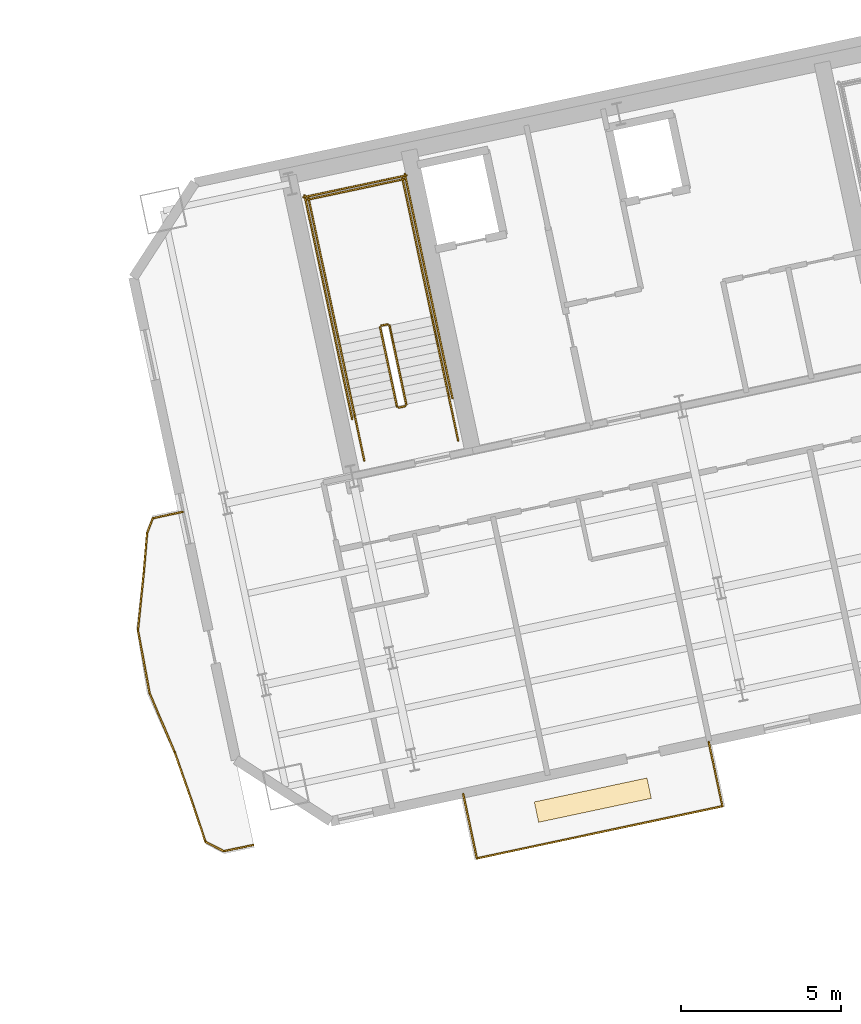
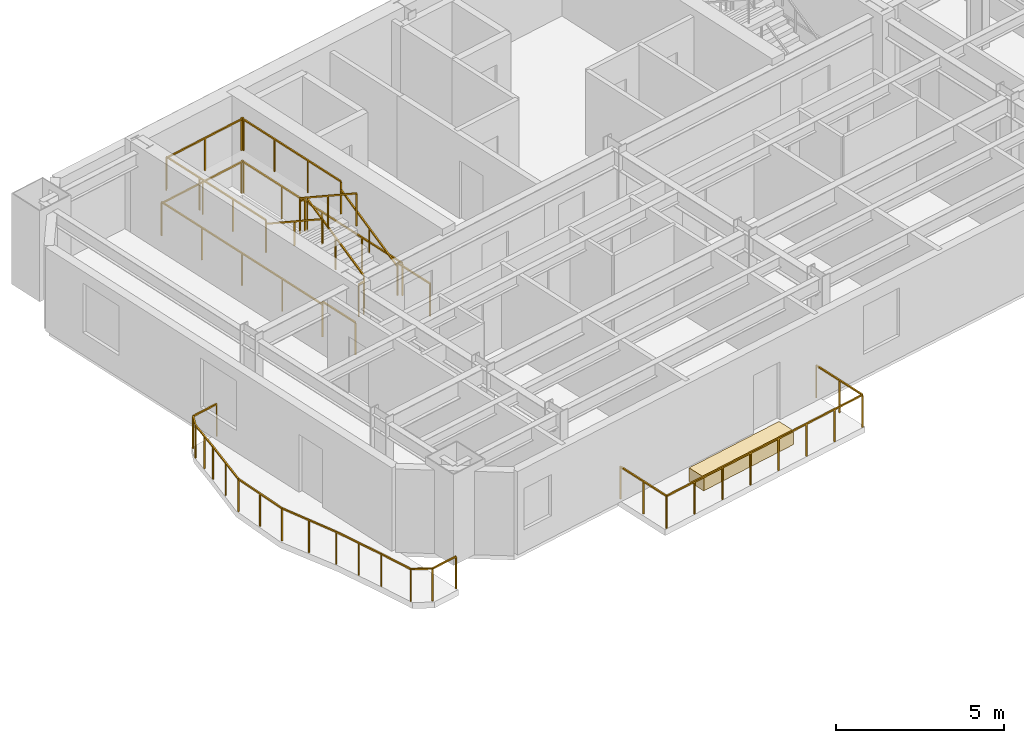
# One storey, part 12 of 13: 27 railings, 1 covering.
"""IFC4 building model written with IfcOpenShell, lengths in metres."""

from ifc_helpers import new_model, si_unit, direction, frame, origin, origin_2d, place, context, subcontext, project, spatial, rectangle, extrude, material, layer, layer_set, type_object, element, save


model = new_model("IFC4")

# Units and contexts
model_context = context("Model", 3, precision=1e-05, world=origin(), true_north=direction((0.0, 1.0)))
body_context = subcontext(model_context, "Body", "Model", "MODEL_VIEW")
ifc_project = project(units=[si_unit("LENGTHUNIT", "METRE"), si_unit("AREAUNIT", "SQUARE_METRE"), si_unit("VOLUMEUNIT", "CUBIC_METRE"), si_unit("PLANEANGLEUNIT", "RADIAN"), si_unit("MASSUNIT", "GRAM", prefix="KILO")], contexts=[model_context])

# Site, building, storey
site_placement = place(None, origin())
site = spatial("IfcSite", under=ifc_project, at=site_placement, CompositionType="ELEMENT")
building_placement = place(site_placement, origin())
building = spatial("IfcBuilding", under=site, at=building_placement, Name="Haevon Station Towers", CompositionType="ELEMENT")
storey_placement = place(building_placement, frame((0.0, 0.0, 159.300048828125)))
storey = spatial("IfcBuildingStorey", under=building, at=storey_placement, Name="L43", CompositionType="ELEMENT", Elevation=159.300048828125)

# Railings
ifc_material_1 = material(Name="Steel S355", Category="steel")
railing_type_1 = type_object("IfcRailingType", Name="GRD-EXT1200", PredefinedType="GUARDRAIL", material=ifc_material_1)
railing_1_placement = place(storey_placement, frame((93.44384765625, 36.33154296875, 0.0)))
element("IfcRailing", 1, at=railing_1_placement, inside=storey, type_object=railing_type_1, Name="L43 Perimeter Guardrail 1", PredefinedType="GUARDRAIL", context=body_context, shape_type="SweptSolid", body=[
    extrude(rectangle(XDim=0.048095703125, YDim=0.048095703125, at=origin_2d()), frame((0.0, 0.0, 1.17578125), z_axis=(-0.977684892297, -0.210076774952, 0.0), x_axis=(0.210076774952, -0.977684892297, 0.0)), (0.0, 0.0, 1.0), 0.943603515625),
    extrude(rectangle(XDim=0.0419921875, YDim=0.0419921875, at=origin_2d()), origin(), (0.0, 0.0, 1.0), 1.15185546875),
    extrude(rectangle(XDim=0.0419921875, YDim=0.0419921875, at=origin_2d()), frame((-0.922607421875, -0.1982421875, 0.0)), (0.0, 0.0, 1.0), 1.15185546875),
])
railing_2_placement = place(storey_placement, frame((92.521240234375, 36.13330078125, 0.0)))
element("IfcRailing", 2, at=railing_2_placement, inside=storey, type_object=railing_type_1, Name="L43 Perimeter Guardrail 2", PredefinedType="GUARDRAIL", context=body_context, shape_type="SweptSolid", body=[
    extrude(rectangle(XDim=0.048095703125, YDim=0.048095703125, at=origin_2d()), frame((0.0, 0.0, 1.17578125), z_axis=(-0.3657443694, -0.930715346522, 0.0), x_axis=(0.930715346522, -0.3657443694, 0.0)), (0.0, 0.0, 1.0), 0.49267578125),
    extrude(rectangle(XDim=0.0419921875, YDim=0.0419921875, at=origin_2d()), origin(), (0.0, 0.0, 1.0), 1.15185546875),
    extrude(rectangle(XDim=0.0419921875, YDim=0.0419921875, at=origin_2d()), frame((-0.18017578125, -0.45849609375, 0.0)), (0.0, 0.0, 1.0), 1.15185546875),
])
railing_3_placement = place(storey_placement, frame((92.341064453125, 35.6748046875, 0.0)))
element("IfcRailing", 3, at=railing_3_placement, inside=storey, type_object=railing_type_1, Name="L43 Perimeter Guardrail 3", PredefinedType="GUARDRAIL", context=body_context, shape_type="SweptSolid", body=[
    extrude(rectangle(XDim=0.048095703125, YDim=0.048095703125, at=origin_2d()), frame((0.0, 0.0, 1.17578125), z_axis=(-0.084251569955, -0.996444515746, 0.0), x_axis=(0.996444515746, -0.084251569955, 0.0)), (0.0, 0.0, 1.0), 1.222900390625),
    extrude(rectangle(XDim=0.0419921875, YDim=0.0419921875, at=origin_2d()), origin(), (0.0, 0.0, 1.0), 1.15185546875),
    extrude(rectangle(XDim=0.0419921875, YDim=0.0419921875, at=origin_2d()), frame((-0.051513671875, -0.609375, 0.0)), (0.0, 0.0, 1.0), 1.15185546875),
    extrude(rectangle(XDim=0.0419921875, YDim=0.0419921875, at=origin_2d()), frame((-0.10302734375, -1.218505859375, 0.0)), (0.0, 0.0, 1.0), 1.15185546875),
])
railing_4_placement = place(storey_placement, frame((92.238037109375, 34.456298828125, 0.0)))
element("IfcRailing", 4, at=railing_4_placement, inside=storey, type_object=railing_type_1, Name="L43 Perimeter Guardrail 4", PredefinedType="GUARDRAIL", context=body_context, shape_type="SweptSolid", body=[
    extrude(rectangle(XDim=0.048095703125, YDim=0.048095703125, at=origin_2d()), frame((0.0, 0.0, 1.17578125), z_axis=(-0.100440099448, -0.994943107129, 0.0), x_axis=(0.994943107129, -0.100440099448, 0.0)), (0.0, 0.0, 1.0), 1.832763671875),
    extrude(rectangle(XDim=0.0419921875, YDim=0.0419921875, at=origin_2d()), origin(), (0.0, 0.0, 1.0), 1.15185546875),
    extrude(rectangle(XDim=0.0419921875, YDim=0.0419921875, at=origin_2d()), frame((-0.092041015625, -0.91162109375, 0.0)), (0.0, 0.0, 1.0), 1.15185546875),
    extrude(rectangle(XDim=0.0419921875, YDim=0.0419921875, at=origin_2d()), frame((-0.18408203125, -1.823486328125, 0.0)), (0.0, 0.0, 1.0), 1.15185546875),
])
railing_5_placement = place(storey_placement, frame((92.053955078125, 32.6328125, 0.0)))
element("IfcRailing", 5, at=railing_5_placement, inside=storey, type_object=railing_type_1, Name="L43 Perimeter Guardrail 5", PredefinedType="GUARDRAIL", context=body_context, shape_type="SweptSolid", body=[
    extrude(rectangle(XDim=0.048095703125, YDim=0.048095703125, at=origin_2d()), frame((0.0, 0.0, 1.17578125), z_axis=(0.182084875325, -0.983282816985, 0.0), x_axis=(0.983282816985, 0.182084875325, 0.0)), (0.0, 0.0, 1.0), 1.993896484375),
    extrude(rectangle(XDim=0.0419921875, YDim=0.0419921875, at=origin_2d()), origin(), (0.0, 0.0, 1.0), 1.15185546875),
    extrude(rectangle(XDim=0.0419921875, YDim=0.0419921875, at=origin_2d()), frame((0.181640625, -0.980224609375, 0.0)), (0.0, 0.0, 1.0), 1.15185546875),
    extrude(rectangle(XDim=0.0419921875, YDim=0.0419921875, at=origin_2d()), frame((0.363037109375, -1.96044921875, 0.0)), (0.0, 0.0, 1.0), 1.15185546875),
])
railing_6_placement = place(storey_placement, frame((92.4169921875, 30.67236328125, 0.0)))
element("IfcRailing", 6, at=railing_6_placement, inside=storey, type_object=railing_type_1, Name="L43 Perimeter Guardrail 6", PredefinedType="GUARDRAIL", context=body_context, shape_type="SweptSolid", body=[
    extrude(rectangle(XDim=0.048095703125, YDim=0.048095703125, at=origin_2d()), frame((0.0, 0.0, 1.17578125), z_axis=(0.389683229783, -0.920948956472, 0.0), x_axis=(0.920948956472, 0.389683229783, 0.0)), (0.0, 0.0, 1.0), 2.026123046875),
    extrude(rectangle(XDim=0.0419921875, YDim=0.0419921875, at=origin_2d()), origin(), (0.0, 0.0, 1.0), 1.15185546875),
    extrude(rectangle(XDim=0.0419921875, YDim=0.0419921875, at=origin_2d()), frame((0.394775390625, -0.93310546875, 0.0)), (0.0, 0.0, 1.0), 1.15185546875),
    extrude(rectangle(XDim=0.0419921875, YDim=0.0419921875, at=origin_2d()), frame((0.78955078125, -1.865966796875, 0.0)), (0.0, 0.0, 1.0), 1.15185546875),
])
railing_7_placement = place(storey_placement, frame((93.20654296875, 28.806396484375, 0.0)))
element("IfcRailing", 7, at=railing_7_placement, inside=storey, type_object=railing_type_1, Name="L43 Perimeter Guardrail 7", PredefinedType="GUARDRAIL", context=body_context, shape_type="SweptSolid", body=[
    extrude(rectangle(XDim=0.048095703125, YDim=0.048095703125, at=origin_2d()), frame((0.0, 0.0, 1.17578125), z_axis=(0.332291601208, -0.943176702303, 0.0), x_axis=(0.943176702303, 0.332291601208, 0.0)), (0.0, 0.0, 1.0), 1.76416015625),
    extrude(rectangle(XDim=0.0419921875, YDim=0.0419921875, at=origin_2d()), origin(), (0.0, 0.0, 1.0), 1.15185546875),
    extrude(rectangle(XDim=0.0419921875, YDim=0.0419921875, at=origin_2d()), frame((0.29296875, -0.83203125, 0.0)), (0.0, 0.0, 1.0), 1.15185546875),
    extrude(rectangle(XDim=0.0419921875, YDim=0.0419921875, at=origin_2d()), frame((0.586181640625, -1.663818359375, 0.0)), (0.0, 0.0, 1.0), 1.15185546875),
])
railing_8_placement = place(storey_placement, frame((93.792724609375, 27.142578125, 0.0)))
element("IfcRailing", 8, at=railing_8_placement, inside=storey, type_object=railing_type_1, Name="L43 Perimeter Guardrail 8", PredefinedType="GUARDRAIL", context=body_context, shape_type="SweptSolid", body=[
    extrude(rectangle(XDim=0.048095703125, YDim=0.048095703125, at=origin_2d()), frame((0.0, 0.0, 1.17578125), z_axis=(0.312492822926, -0.949920120652, 0.0), x_axis=(0.949920120652, 0.312492822926, 0.0)), (0.0, 0.0, 1.0), 1.177490234375),
    extrude(rectangle(XDim=0.0419921875, YDim=0.0419921875, at=origin_2d()), origin(), (0.0, 0.0, 1.0), 1.15185546875),
    extrude(rectangle(XDim=0.0419921875, YDim=0.0419921875, at=origin_2d()), frame((0.367919921875, -1.118408203125, 0.0)), (0.0, 0.0, 1.0), 1.15185546875),
])
railing_9_placement = place(storey_placement, frame((94.16064453125, 26.024169921875, 0.0)))
element("IfcRailing", 9, at=railing_9_placement, inside=storey, type_object=railing_type_1, Name="L43 Perimeter Guardrail 9", PredefinedType="GUARDRAIL", context=body_context, shape_type="SweptSolid", body=[
    extrude(rectangle(XDim=0.048095703125, YDim=0.048095703125, at=origin_2d()), frame((0.0, 0.0, 1.17578125), z_axis=(0.886739807276, -0.462268876513, 0.0), x_axis=(0.462268876513, 0.886739807276, 0.0)), (0.0, 0.0, 1.0), 0.64599609375),
    extrude(rectangle(XDim=0.0419921875, YDim=0.0419921875, at=origin_2d()), origin(), (0.0, 0.0, 1.0), 1.15185546875),
    extrude(rectangle(XDim=0.0419921875, YDim=0.0419921875, at=origin_2d()), frame((0.57275390625, -0.298583984375, 0.0)), (0.0, 0.0, 1.0), 1.15185546875),
])
railing_10_placement = place(storey_placement, frame((94.7333984375, 25.7255859375, 0.0)))
element("IfcRailing", 10, at=railing_10_placement, inside=storey, type_object=railing_type_1, Name="L43 Perimeter Guardrail 10", PredefinedType="GUARDRAIL", context=body_context, shape_type="SweptSolid", body=[
    extrude(rectangle(XDim=0.048095703125, YDim=0.048095703125, at=origin_2d()), frame((0.0, 0.0, 1.17578125), z_axis=(0.978571736022, 0.205906186062, 0.0), x_axis=(-0.205906186062, 0.978571736022, 0.0)), (0.0, 0.0, 1.0), 0.94384765625),
    extrude(rectangle(XDim=0.0419921875, YDim=0.0419921875, at=origin_2d()), origin(), (0.0, 0.0, 1.0), 1.15185546875),
    extrude(rectangle(XDim=0.0419921875, YDim=0.0419921875, at=origin_2d()), frame((0.923583984375, 0.1943359375, 0.0)), (0.0, 0.0, 1.0), 1.15185546875),
])
railing_11_placement = place(storey_placement, frame((102.6474609375, 25.501708984375, 0.0)))
element("IfcRailing", 11, at=railing_11_placement, inside=storey, type_object=railing_type_1, Name="L43 Perimeter Guardrail 1", PredefinedType="GUARDRAIL", context=body_context, shape_type="SweptSolid", body=[
    extrude(rectangle(XDim=0.048095703125, YDim=0.048095703125, at=origin_2d()), frame((0.0, 0.0, 1.17578125), z_axis=(0.978148093399, 0.207909372996, 0.0), x_axis=(-0.207909372996, 0.978148093399, 0.0)), (0.0, 0.0, 1.0), 7.84521484375),
    extrude(rectangle(XDim=0.0419921875, YDim=0.0419921875, at=origin_2d()), origin(), (0.0, 0.0, 1.0), 1.15185546875),
    extrude(rectangle(XDim=0.0419921875, YDim=0.0419921875, at=origin_2d()), frame((1.09619140625, 0.23291015625, 0.0)), (0.0, 0.0, 1.0), 1.15185546875),
    extrude(rectangle(XDim=0.0419921875, YDim=0.0419921875, at=origin_2d()), frame((2.192626953125, 0.466064453125, 0.0)), (0.0, 0.0, 1.0), 1.15185546875),
    extrude(rectangle(XDim=0.0419921875, YDim=0.0419921875, at=origin_2d()), frame((3.288818359375, 0.698974609375, 0.0)), (0.0, 0.0, 1.0), 1.15185546875),
    extrude(rectangle(XDim=0.0419921875, YDim=0.0419921875, at=origin_2d()), frame((4.385009765625, 0.93212890625, 0.0)), (0.0, 0.0, 1.0), 1.15185546875),
    extrude(rectangle(XDim=0.0419921875, YDim=0.0419921875, at=origin_2d()), frame((5.481201171875, 1.1650390625, 0.0)), (0.0, 0.0, 1.0), 1.15185546875),
    extrude(rectangle(XDim=0.0419921875, YDim=0.0419921875, at=origin_2d()), frame((6.57763671875, 1.398193359375, 0.0)), (0.0, 0.0, 1.0), 1.15185546875),
    extrude(rectangle(XDim=0.0419921875, YDim=0.0419921875, at=origin_2d()), frame((7.673828125, 1.631103515625, 0.0)), (0.0, 0.0, 1.0), 1.15185546875),
])
railing_12_placement = place(storey_placement, frame((110.3212890625, 27.1328125, 0.0)))
element("IfcRailing", 12, at=railing_12_placement, inside=storey, type_object=railing_type_1, Name="L43 Perimeter Guardrail 2", PredefinedType="GUARDRAIL", context=body_context, shape_type="SweptSolid", body=[
    extrude(rectangle(XDim=0.048095703125, YDim=0.048095703125, at=origin_2d()), frame((0.0, 0.0, 1.17578125), z_axis=(-0.207962507169, 0.978136798005, 0.0), x_axis=(-0.978136798005, -0.207962507169, 0.0)), (0.0, 0.0, 1.0), 2.054443359375),
    extrude(rectangle(XDim=0.0419921875, YDim=0.0419921875, at=origin_2d()), origin(), (0.0, 0.0, 1.0), 1.15185546875),
    extrude(rectangle(XDim=0.0419921875, YDim=0.0419921875, at=origin_2d()), frame((-0.213623046875, 1.0048828125, 0.0)), (0.0, 0.0, 1.0), 1.15185546875),
    extrude(rectangle(XDim=0.0419921875, YDim=0.0419921875, at=origin_2d()), frame((-0.42724609375, 2.009521484375, 0.0)), (0.0, 0.0, 1.0), 1.15185546875),
])
railing_13_placement = place(storey_placement, frame((102.220458984375, 27.51123046875, 0.0)))
element("IfcRailing", 13, at=railing_13_placement, inside=storey, type_object=railing_type_1, Name="L43 Perimeter Guardrail 3", PredefinedType="GUARDRAIL", context=body_context, shape_type="SweptSolid", body=[
    extrude(rectangle(XDim=0.048095703125, YDim=0.048095703125, at=origin_2d()), frame((0.0, 0.0, 1.17578125), z_axis=(0.207848806692, -0.978160965055, 0.0), x_axis=(0.978160965055, 0.207848806692, 0.0)), (0.0, 0.0, 1.0), 2.054443359375),
    extrude(rectangle(XDim=0.0419921875, YDim=0.0419921875, at=origin_2d()), origin(), (0.0, 0.0, 1.0), 1.15185546875),
    extrude(rectangle(XDim=0.0419921875, YDim=0.0419921875, at=origin_2d()), frame((0.21337890625, -1.0048828125, 0.0)), (0.0, 0.0, 1.0), 1.15185546875),
    extrude(rectangle(XDim=0.0419921875, YDim=0.0419921875, at=origin_2d()), frame((0.427001953125, -2.009521484375, 0.0)), (0.0, 0.0, 1.0), 1.15185546875),
])
railing_type_2 = type_object("IfcRailingType", Name="GRD-STR1200", PredefinedType="GUARDRAIL", material=ifc_material_1)
railing_14_placement = place(storey_placement, frame((100.44140625, 39.69287109375, 0.1650390625)))
element("IfcRailing", 14, at=railing_14_placement, inside=storey, type_object=railing_type_2, Name="L43 ST3 Stair Guard 1", PredefinedType="GUARDRAIL", context=body_context, shape_type="SweptSolid", body=[
    extrude(rectangle(XDim=0.048095703125, YDim=0.048095703125, at=origin_2d()), frame((0.0, 0.0, 1.17578125), z_axis=(-0.179128856099, 0.842723639875, 0.507670877349), x_axis=(-0.978147030254, -0.207914374695, 0.0)), (0.0, 0.0, 1.0), 2.9248046875),
    extrude(rectangle(XDim=0.0419921875, YDim=0.0419921875, at=origin_2d()), origin(), (0.0, 0.0, 1.0), 1.15185546875),
    extrude(rectangle(XDim=0.0419921875, YDim=0.0419921875, at=origin_2d()), frame((-0.261962890625, 1.232421875, 0.742431640625)), (0.0, 0.0, 1.0), 1.15185546875),
    extrude(rectangle(XDim=0.0419921875, YDim=0.0419921875, at=origin_2d()), frame((-0.52392578125, 2.46484375, 1.48486328125)), (0.0, 0.0, 1.0), 1.15185546875),
])
railing_15_placement = place(storey_placement, frame((99.858154296875, 42.1962890625, 1.64990234375)))
element("IfcRailing", 15, at=railing_15_placement, inside=storey, type_object=railing_type_2, Name="L43 ST3 Stair Guard 2", PredefinedType="GUARDRAIL", context=body_context, shape_type="SweptSolid", body=[
    extrude(rectangle(XDim=0.048095703125, YDim=0.048095703125, at=origin_2d()), frame((0.0, 0.0, 1.17578125), z_axis=(-0.977962931203, -0.208778603291, 0.0), x_axis=(0.208778603291, -0.977962931203, 0.0)), (0.0, 0.0, 1.0), 0.199951171875),
    extrude(rectangle(XDim=0.0419921875, YDim=0.0419921875, at=origin_2d()), origin(), (0.0, 0.0, 1.0), 1.15185546875),
    extrude(rectangle(XDim=0.0419921875, YDim=0.0419921875, at=origin_2d()), frame((-0.195556640625, -0.041748046875, 0.0)), (0.0, 0.0, 1.0), 1.15185546875),
])
railing_16_placement = place(storey_placement, frame((101.238037109375, 42.4384765625, 1.64990234375)))
element("IfcRailing", 16, at=railing_16_placement, inside=storey, type_object=railing_type_2, Name="L43 ST3 Stair Guard 3", PredefinedType="GUARDRAIL", context=body_context, shape_type="SweptSolid", body=[
    extrude(rectangle(XDim=0.048095703125, YDim=0.048095703125, at=origin_2d()), frame((0.0, 0.0, 1.17578125), z_axis=(-0.20794048909, 0.978141479029, 0.0), x_axis=(-0.978141479029, -0.20794048909, 0.0)), (0.0, 0.0, 1.0), 4.429931640625),
    extrude(rectangle(XDim=0.0419921875, YDim=0.0419921875, at=origin_2d()), origin(), (0.0, 0.0, 1.0), 1.15185546875),
    extrude(rectangle(XDim=0.0419921875, YDim=0.0419921875, at=origin_2d()), frame((-0.30712890625, 1.4443359375, 0.0)), (0.0, 0.0, 1.0), 1.15185546875),
    extrude(rectangle(XDim=0.0419921875, YDim=0.0419921875, at=origin_2d()), frame((-0.614013671875, 2.888671875, 0.0)), (0.0, 0.0, 1.0), 1.15185546875),
    extrude(rectangle(XDim=0.0419921875, YDim=0.0419921875, at=origin_2d()), frame((-0.921142578125, 4.3330078125, 0.0)), (0.0, 0.0, 1.0), 1.15185546875),
])
railing_17_placement = place(storey_placement, frame((98.303466796875, 41.814697265625, 1.64990234375)))
element("IfcRailing", 17, at=railing_17_placement, inside=storey, type_object=railing_type_2, Name="L43 ST3 Stair Guard 4", PredefinedType="GUARDRAIL", context=body_context, shape_type="SweptSolid", body=[
    extrude(rectangle(XDim=0.048095703125, YDim=0.048095703125, at=origin_2d()), frame((0.0, 0.0, 1.17578125), z_axis=(-0.207876551949, 0.978155069071, 0.0), x_axis=(-0.978155069071, -0.207876551949, 0.0)), (0.0, 0.0, 1.0), 4.429931640625),
    extrude(rectangle(XDim=0.0419921875, YDim=0.0419921875, at=origin_2d()), origin(), (0.0, 0.0, 1.0), 1.15185546875),
    extrude(rectangle(XDim=0.0419921875, YDim=0.0419921875, at=origin_2d()), frame((-0.306884765625, 1.4443359375, 0.0)), (0.0, 0.0, 1.0), 1.15185546875),
    extrude(rectangle(XDim=0.0419921875, YDim=0.0419921875, at=origin_2d()), frame((-0.614013671875, 2.888916015625, 0.0)), (0.0, 0.0, 1.0), 1.15185546875),
    extrude(rectangle(XDim=0.0419921875, YDim=0.0419921875, at=origin_2d()), frame((-0.9208984375, 4.333251953125, 0.0)), (0.0, 0.0, 1.0), 1.15185546875),
])
railing_18_placement = place(storey_placement, frame((100.376220703125, 46.733154296875, 1.64990234375)))
element("IfcRailing", 18, at=railing_18_placement, inside=storey, type_object=railing_type_2, Name="L43 ST3 Stair Guard 5", PredefinedType="GUARDRAIL", context=body_context, shape_type="SweptSolid", body=[
    extrude(rectangle(XDim=0.048095703125, YDim=0.048095703125, at=origin_2d()), frame((0.0, 0.0, 1.17578125), z_axis=(-0.978146839882, -0.207915270313, 0.0), x_axis=(0.207915270313, -0.978146839882, 0.0)), (0.0, 0.0, 1.0), 3.099853515625),
    extrude(rectangle(XDim=0.0419921875, YDim=0.0419921875, at=origin_2d()), origin(), (0.0, 0.0, 1.0), 1.15185546875),
    extrude(rectangle(XDim=0.0419921875, YDim=0.0419921875, at=origin_2d()), frame((-1.51611328125, -0.322265625, 0.0)), (0.0, 0.0, 1.0), 1.15185546875),
    extrude(rectangle(XDim=0.0419921875, YDim=0.0419921875, at=origin_2d()), frame((-3.0322265625, -0.64453125, 0.0)), (0.0, 0.0, 1.0), 1.15185546875),
])
railing_19_placement = place(storey_placement, frame((99.6240234375, 42.09521484375, 1.81494140625)))
element("IfcRailing", 19, at=railing_19_placement, inside=storey, type_object=railing_type_2, Name="L43 ST3 Stair Guard 6", PredefinedType="GUARDRAIL", context=body_context, shape_type="SweptSolid", body=[
    extrude(rectangle(XDim=0.048095703125, YDim=0.048095703125, at=origin_2d()), frame((0.0, 0.0, 1.17578125), z_axis=(0.179121265225, -0.842687928106, 0.507732831485), x_axis=(0.978147030254, 0.207914374695, 0.0)), (0.0, 0.0, 1.0), 2.925048828125),
    extrude(rectangle(XDim=0.0419921875, YDim=0.0419921875, at=origin_2d()), origin(), (0.0, 0.0, 1.0), 1.15185546875),
    extrude(rectangle(XDim=0.0419921875, YDim=0.0419921875, at=origin_2d()), frame((0.261962890625, -1.232421875, 0.74267578125)), (0.0, 0.0, 1.0), 1.15185546875),
    extrude(rectangle(XDim=0.0419921875, YDim=0.0419921875, at=origin_2d()), frame((0.52392578125, -2.46484375, 1.485107421875)), (0.0, 0.0, 1.0), 1.15185546875),
])
railing_20_placement = place(storey_placement, frame((100.40283203125, 39.633544921875, 0.0)))
element("IfcRailing", 20, at=railing_20_placement, inside=storey, type_object=railing_type_2, Name="L43 ST3 Stair Guard 7", PredefinedType="GUARDRAIL", context=body_context, shape_type="SweptSolid", body=[
    extrude(rectangle(XDim=0.048095703125, YDim=0.048095703125, at=origin_2d()), frame((0.0, 0.0, 1.17578125), z_axis=(-0.977962931203, -0.208778603291, 0.0), x_axis=(0.208778603291, -0.977962931203, 0.0)), (0.0, 0.0, 1.0), 0.199951171875),
    extrude(rectangle(XDim=0.0419921875, YDim=0.0419921875, at=origin_2d()), origin(), (0.0, 0.0, 1.0), 1.15185546875),
    extrude(rectangle(XDim=0.0419921875, YDim=0.0419921875, at=origin_2d()), frame((-0.195556640625, -0.041748046875, 0.0)), (0.0, 0.0, 1.0), 1.15185546875),
])
for number, where, name in (
    (21, (102.0634765625, 38.55517578125, 0.0), "L43 ST3 Stair Guard 8"),
    (22, (99.12890625, 37.931396484375, 0.0), "L43 ST3 Stair Guard 9"),
):
    element("IfcRailing", number, at=place(storey_placement, frame(where)), inside=storey, type_object=railing_type_2, Name=name, PredefinedType="GUARDRAIL", context=body_context, shape_type="SweptSolid", body=[
        extrude(rectangle(XDim=0.048095703125, YDim=0.048095703125, at=origin_2d()), frame((0.0, 0.0, 1.17578125), z_axis=(-0.207953405961, 0.978138732977, 0.0), x_axis=(-0.978138732977, -0.207953405961, 0.0)), (0.0, 0.0, 1.0), 1.449951171875),
        extrude(rectangle(XDim=0.0419921875, YDim=0.0419921875, at=origin_2d()), origin(), (0.0, 0.0, 1.0), 1.15185546875),
        extrude(rectangle(XDim=0.0419921875, YDim=0.0419921875, at=origin_2d()), frame((-0.301513671875, 1.418212890625, 0.0)), (0.0, 0.0, 1.0), 1.15185546875),
    ])
railing_21_placement = place(storey_placement, frame((101.88037109375, 39.896484375, 0.0)))
element("IfcRailing", 23, at=railing_21_placement, inside=storey, type_object=railing_type_2, Name="L43 ST3 Stair Guard 10", PredefinedType="GUARDRAIL", context=body_context, shape_type="SweptSolid", body=[
    extrude(rectangle(XDim=0.048095703125, YDim=0.048095703125, at=origin_2d()), frame((0.0, 0.0, 1.17578125), z_axis=(-0.207882442208, 0.978153817261, 0.0), x_axis=(-0.978153817261, -0.207882442208, 0.0)), (0.0, 0.0, 1.0), 7.14990234375),
    extrude(rectangle(XDim=0.0419921875, YDim=0.0419921875, at=origin_2d()), origin(), (0.0, 0.0, 1.0), 1.15185546875),
    extrude(rectangle(XDim=0.0419921875, YDim=0.0419921875, at=origin_2d()), frame((-0.37158203125, 1.74853515625, 0.0)), (0.0, 0.0, 1.0), 1.15185546875),
    extrude(rectangle(XDim=0.0419921875, YDim=0.0419921875, at=origin_2d()), frame((-0.7431640625, 3.496826171875, 0.0)), (0.0, 0.0, 1.0), 1.15185546875),
    extrude(rectangle(XDim=0.0419921875, YDim=0.0419921875, at=origin_2d()), frame((-1.11474609375, 5.2451171875, 0.0)), (0.0, 0.0, 1.0), 1.15185546875),
    extrude(rectangle(XDim=0.0419921875, YDim=0.0419921875, at=origin_2d()), frame((-1.486328125, 6.99365234375, 0.0)), (0.0, 0.0, 1.0), 1.15185546875),
])
railing_22_placement = place(storey_placement, frame((98.75048828125, 39.231201171875, 0.0)))
element("IfcRailing", 24, at=railing_22_placement, inside=storey, type_object=railing_type_2, Name="L43 ST3 Stair Guard 11", PredefinedType="GUARDRAIL", context=body_context, shape_type="SweptSolid", body=[
    extrude(rectangle(XDim=0.048095703125, YDim=0.048095703125, at=origin_2d()), frame((0.0, 0.0, 1.17578125), z_axis=(-0.207915112487, 0.978146873429, 0.0), x_axis=(-0.978146873429, -0.207915112487, 0.0)), (0.0, 0.0, 1.0), 7.14990234375),
    extrude(rectangle(XDim=0.0419921875, YDim=0.0419921875, at=origin_2d()), origin(), (0.0, 0.0, 1.0), 1.15185546875),
    extrude(rectangle(XDim=0.0419921875, YDim=0.0419921875, at=origin_2d()), frame((-0.37158203125, 1.74853515625, 0.0)), (0.0, 0.0, 1.0), 1.15185546875),
    extrude(rectangle(XDim=0.0419921875, YDim=0.0419921875, at=origin_2d()), frame((-0.7431640625, 3.496826171875, 0.0)), (0.0, 0.0, 1.0), 1.15185546875),
    extrude(rectangle(XDim=0.0419921875, YDim=0.0419921875, at=origin_2d()), frame((-1.114990234375, 5.2451171875, 0.0)), (0.0, 0.0, 1.0), 1.15185546875),
    extrude(rectangle(XDim=0.0419921875, YDim=0.0419921875, at=origin_2d()), frame((-1.486572265625, 6.99365234375, 0.0)), (0.0, 0.0, 1.0), 1.15185546875),
])
railing_23_placement = place(storey_placement, frame((100.453125, 46.8515625, 0.0)))
element("IfcRailing", 25, at=railing_23_placement, inside=storey, type_object=railing_type_2, Name="L43 ST3 Stair Guard 12", PredefinedType="GUARDRAIL", context=body_context, shape_type="SweptSolid", body=[
    extrude(rectangle(XDim=0.048095703125, YDim=0.048095703125, at=origin_2d()), frame((0.0, 0.0, 1.17578125), z_axis=(-0.978150764849, -0.207896804268, 0.0), x_axis=(0.207896804268, -0.978150764849, 0.0)), (0.0, 0.0, 1.0), 3.2998046875),
    extrude(rectangle(XDim=0.0419921875, YDim=0.0419921875, at=origin_2d()), origin(), (0.0, 0.0, 1.0), 1.15185546875),
    extrude(rectangle(XDim=0.0419921875, YDim=0.0419921875, at=origin_2d()), frame((-1.61376953125, -0.343017578125, 0.0)), (0.0, 0.0, 1.0), 1.15185546875),
    extrude(rectangle(XDim=0.0419921875, YDim=0.0419921875, at=origin_2d()), frame((-3.227783203125, -0.68603515625, 0.0)), (0.0, 0.0, 1.0), 1.15185546875),
])
railing_type_3 = type_object("IfcRailingType", Name="HND-STR900", PredefinedType="HANDRAIL", material=ifc_material_1)
railing_24_placement = place(storey_placement, frame((101.761962890625, 39.973388671875, 0.1650390625)))
element("IfcRailing", 26, at=railing_24_placement, inside=storey, type_object=railing_type_3, Name="L43 ST3 Stair Handrail 1", PredefinedType="HANDRAIL", context=body_context, shape_type="SweptSolid", body=[
    extrude(rectangle(XDim=0.048095703125, YDim=0.048095703125, at=origin_2d()), frame((0.0, 0.0, 0.8759765625), z_axis=(-0.179116256339, 0.842747828638, 0.507635168246), x_axis=(-0.978151217824, -0.207894673017, 0.0)), (0.0, 0.0, 1.0), 2.925048828125),
    extrude(rectangle(XDim=0.0419921875, YDim=0.0419921875, at=origin_2d()), origin(), (0.0, 0.0, 1.0), 0.851806640625),
    extrude(rectangle(XDim=0.0419921875, YDim=0.0419921875, at=origin_2d()), frame((-0.261962890625, 1.232421875, 0.742431640625)), (0.0, 0.0, 1.0), 0.851806640625),
    extrude(rectangle(XDim=0.0419921875, YDim=0.0419921875, at=origin_2d()), frame((-0.52392578125, 2.465087890625, 1.48486328125)), (0.0, 0.0, 1.0), 0.851806640625),
])
railing_25_placement = place(storey_placement, frame((98.303466796875, 41.814697265625, 1.81494140625)))
element("IfcRailing", 27, at=railing_25_placement, inside=storey, type_object=railing_type_3, Name="L43 ST3 Stair Handrail 2", PredefinedType="HANDRAIL", context=body_context, shape_type="SweptSolid", body=[
    extrude(rectangle(XDim=0.048095703125, YDim=0.048095703125, at=origin_2d()), frame((0.0, 0.0, 0.8759765625), z_axis=(0.179108667068, -0.842712120868, 0.50769712105), x_axis=(0.978151217824, 0.207894673017, 0.0)), (0.0, 0.0, 1.0), 2.92529296875),
    extrude(rectangle(XDim=0.0419921875, YDim=0.0419921875, at=origin_2d()), origin(), (0.0, 0.0, 1.0), 0.851806640625),
    extrude(rectangle(XDim=0.0419921875, YDim=0.0419921875, at=origin_2d()), frame((0.261962890625, -1.232421875, 0.74267578125)), (0.0, 0.0, 1.0), 0.851806640625),
    extrude(rectangle(XDim=0.0419921875, YDim=0.0419921875, at=origin_2d()), frame((0.52392578125, -2.465087890625, 1.485107421875)), (0.0, 0.0, 1.0), 0.851806640625),
])

# Covering
ifc_material_2 = material(Name="Architectural planter GRC", Category="concrete")
ifc_layer = layer(ifc_material_2, 0.550048828125)
ifc_layer_set = layer_set([ifc_layer], Name="Architectural planter GRC")
covering_type = type_object("IfcCoveringType", Name="PLN-GRC550", PredefinedType="MOLDING", material=ifc_layer_set)
covering_placement = place(storey_placement, frame((106.270751953125, 27.322021484375, 0.0), z_axis=(0.0, 0.0, 1.0), x_axis=(0.978147600734, 0.207911690818, 0.0)))
element("IfcCovering", 28, at=covering_placement, inside=storey, type_object=covering_type, Name="Tower 2 L43 Facade Trough PLANTER", PredefinedType="MOLDING", context=body_context, shape_type="SweptSolid", body=[
    extrude(rectangle(XDim=3.60009765625, YDim=0.64990234375, at=origin_2d()), origin(), (0.0, 0.0, 1.0), 0.5),
])

save(model, "model.ifc")
